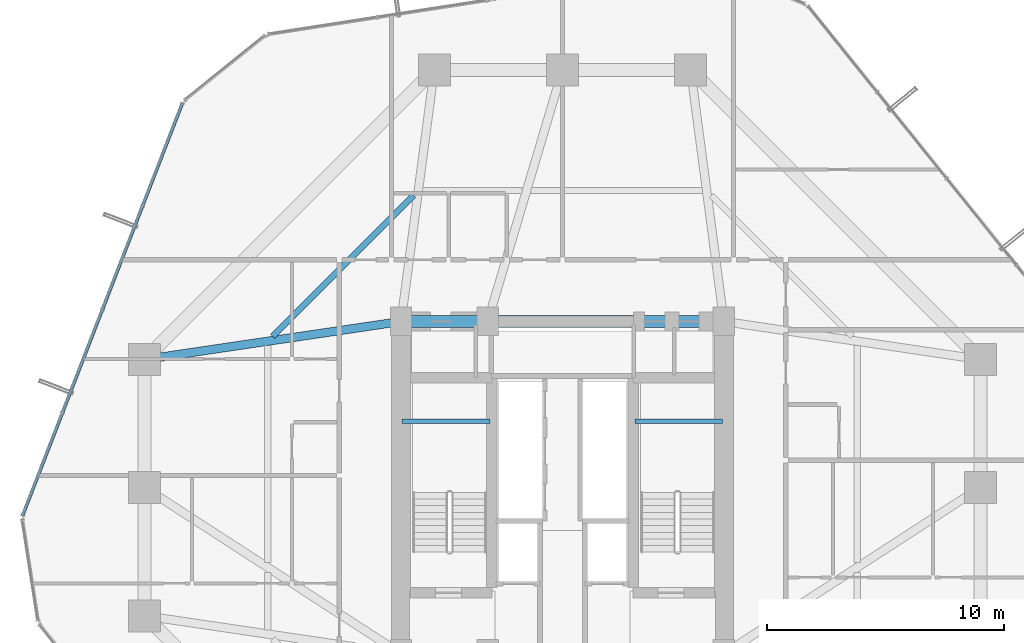
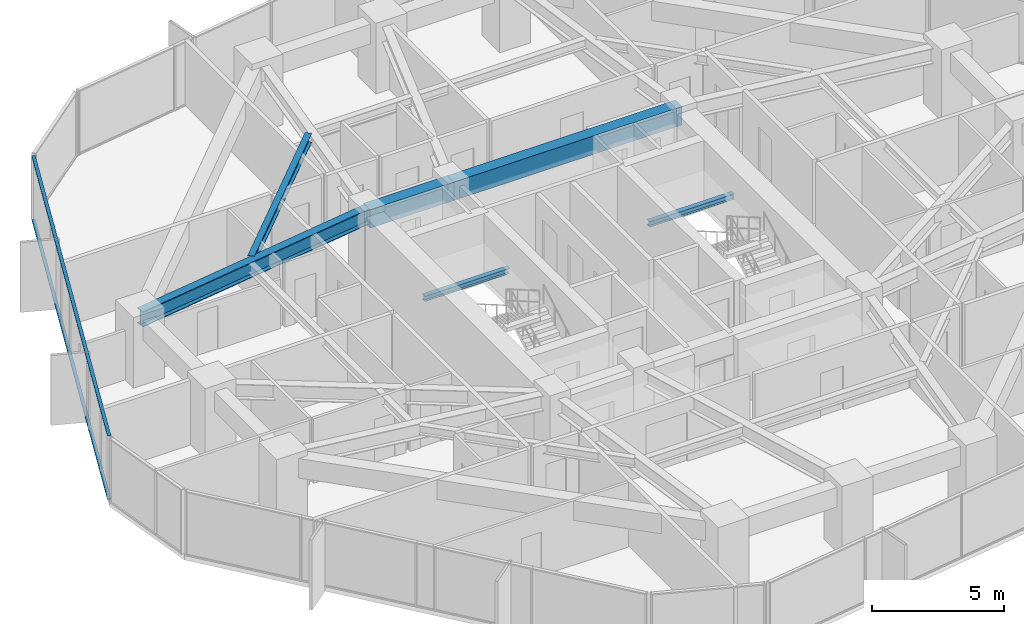
# One storey, part 13 of 37: 6 beams, 2 members, 1 element without a shape of its own.
"""IFC4 building model written with IfcOpenShell, lengths in metres."""

from ifc_helpers import new_model, si_unit, direction, frame, origin, origin_2d, place, context, subcontext, project, spatial, rectangle, hollow_rectangle, i_section, extrude, source, transform, mapped, material, layer, layer_set, material_profile, profile_set, type_object, element, aggregate, save


model = new_model("IFC4")

# Units and contexts
model_context = context("Model", 3, precision=1e-05, world=origin(), true_north=direction((0.0, 1.0)))
body_context = subcontext(model_context, "Body", "Model", "MODEL_VIEW")
ifc_project = project(units=[si_unit("LENGTHUNIT", "METRE"), si_unit("AREAUNIT", "SQUARE_METRE"), si_unit("VOLUMEUNIT", "CUBIC_METRE"), si_unit("PLANEANGLEUNIT", "RADIAN"), si_unit("MASSUNIT", "GRAM", prefix="KILO")], contexts=[model_context])

# Site, building, storey
site_placement = place(None, origin())
site = spatial("IfcSite", under=ifc_project, at=site_placement, CompositionType="ELEMENT")
building_placement = place(site_placement, origin())
building = spatial("IfcBuilding", under=site, at=building_placement, Name="Veraguas Prism Commons", CompositionType="ELEMENT")
storey_placement = place(building_placement, frame((0.0, 0.0, 53.300048828125)))
storey = spatial("IfcBuildingStorey", under=building, at=storey_placement, Name="L14", CompositionType="ELEMENT", Elevation=53.300048828125)

# Beams
ifc_material_1 = material(Name="Concrete C50/60", Category="concrete")
ifc_material_profile_1 = material_profile(ifc_material_1, rectangle(XDim=0.5, YDim=0.85009765625, at=origin_2d()), Name="RC500X850")
ifc_profile_set_1 = profile_set([ifc_material_profile_1], Name="Concrete C50/60")
beam_type_1 = type_object("IfcBeamType", Name="Core Coupling Beam RC 500x850", PredefinedType="BEAM", material=ifc_profile_set_1)
beam_1_placement = place(storey_placement, frame((17.199951171875, 31.0, 2.544921875), z_axis=(1.0, 0.0, 0.0), x_axis=(0.0, 1.0, 0.0)))
element("IfcBeam", 1, at=beam_1_placement, inside=storey, type_object=beam_type_1, Name="Core Coupling Beam L14-CRN1", PredefinedType="BEAM", context=body_context, shape_type="SweptSolid", body=[
    extrude(rectangle(XDim=0.5, YDim=0.85009765625, at=origin_2d()), origin(), (0.0, 0.0, 1.0), 3.650146484375),
])
beam_2_placement = place(storey_placement, frame((20.85009765625, 31.0, 2.544921875), z_axis=(1.0, 0.0, 0.0), x_axis=(0.0, 1.0, 0.0)))
element("IfcBeam", 2, at=beam_2_placement, inside=storey, type_object=beam_type_1, Name="Core Coupling Beam L14-CRN2", PredefinedType="BEAM", context=body_context, shape_type="SweptSolid", body=[
    extrude(rectangle(XDim=0.5, YDim=0.85009765625, at=origin_2d()), origin(), (0.0, 0.0, 1.0), 9.949951171875),
])
ifc_material_2 = material(Name="Steel ASTM A992 Grade 50", Category="steel")
ifc_material_profile_2 = material_profile(ifc_material_2, i_section(OverallWidth=0.260986328125, OverallDepth=0.419921875, WebThickness=0.01171875, FlangeThickness=0.019287109375, at=origin_2d()), Name="W410X114")
ifc_profile_set_2 = profile_set([ifc_material_profile_2], Name="Steel ASTM A992 Grade 50")
beam_type_2 = type_object("IfcBeamType", Name="Lower Floor Joist W410x114", PredefinedType="JOIST", material=ifc_profile_set_2)
beam_3_placement = place(storey_placement, frame((17.723388671875, 36.3076171875, 2.760009765625), z_axis=(-0.707092226423, -0.70712133565, 0.0), x_axis=(0.70712133565, -0.707092226423, 0.0)))
element("IfcBeam", 3, at=beam_3_placement, inside=storey, type_object=beam_type_2, Name="Composite Floor Joist L14-JS06", PredefinedType="JOIST", context=body_context, shape_type="SweptSolid", body=[
    extrude(i_section(OverallWidth=0.260986328125, OverallDepth=0.419921875, WebThickness=0.01171875, FlangeThickness=0.019287109375, at=origin_2d()), origin(), (0.0, 0.0, 1.0), 8.386962890625),
])
ifc_material_profile_3 = material_profile(ifc_material_2, i_section(OverallWidth=0.202880859375, OverallDepth=0.251953125, WebThickness=0.008056640625, FlangeThickness=0.013427734375, at=origin_2d()), Name="W250X58")
ifc_profile_set_3 = profile_set([ifc_material_profile_3], Name="Steel ASTM A992 Grade 50")
beam_type_3 = type_object("IfcBeamType", Name="Structural Opening Lintel W250x58", PredefinedType="LINTEL", material=ifc_profile_set_3)
for number, where, z_axis, x_axis, name in (
    (4, (17.25, 26.800048828125, 1.299072265625), (1.0, 0.0, 0.0), (0.0, 1.0, 0.0), "Stair ST-01 Half-Landing Support Beam L14-1"),
    (5, (27.050048828125, 26.800048828125, 1.299072265625), (1.0, 0.0, 0.0), (0.0, 1.0, 0.0), "Stair ST-02 Half-Landing Support Beam L14-1"),
):
    element("IfcBeam", number, at=place(storey_placement, frame(where, z_axis=z_axis, x_axis=x_axis)), inside=storey, type_object=beam_type_3, Name=name, PredefinedType="LINTEL", context=body_context, shape_type="SweptSolid", body=[
        extrude(i_section(OverallWidth=0.202880859375, OverallDepth=0.251953125, WebThickness=0.008056640625, FlangeThickness=0.013427734375, at=origin_2d()), origin(), (0.0, 0.0, 1.0), 3.699951171875),
    ])
ifc_material_profile_4 = material_profile(ifc_material_2, i_section(OverallWidth=0.35595703125, OverallDepth=0.700927734375, WebThickness=0.016845703125, FlangeThickness=0.02734375, at=origin_2d()), Name="W690X240")
ifc_profile_set_4 = profile_set([ifc_material_profile_4], Name="Steel ASTM A992 Grade 50")
beam_type_4 = type_object("IfcBeamType", Name="Zone 1 Radial Girder W690x240", PredefinedType="BEAM", material=ifc_profile_set_4)
beam_4_placement = place(storey_placement, frame((6.39990234375, 29.39990234375, 2.619384765625), z_axis=(0.989202261707, 0.146556765224, 0.0), x_axis=(-0.146556765224, 0.989202261707, 0.0)))
element("IfcBeam", 6, at=beam_4_placement, inside=storey, type_object=beam_type_4, Name="Radial Floor Girder L14-RD07", PredefinedType="BEAM", context=body_context, shape_type="SweptSolid", body=[
    extrude(i_section(OverallWidth=0.35595703125, OverallDepth=0.700927734375, WebThickness=0.016845703125, FlangeThickness=0.02734375, at=origin_2d()), origin(), (0.0, 0.0, 1.0), 10.91796875),
])

# Curtain wall, members
ifc_material_3 = material(Name="Anodised aluminium EN AW-6063 T6", Category="aluminium")
ifc_layer = layer(ifc_material_3, 0.169921875, Name="Unitised Flush Curtain Wall Zone 1", Category="aluminium")
ifc_layer_set = layer_set([ifc_layer], Name="Anodised aluminium EN AW-6063 T6")
curtain_wall_type = type_object("IfcCurtainWallType", Name="Unitised Flush Curtain Wall Zone 1", PredefinedType="NOTDEFINED", material=ifc_layer_set)
curtain_wall_placement = place(storey_placement, origin())
curtain_wall = element("IfcCurtainWall", 7, at=curtain_wall_placement, inside=storey, type_object=curtain_wall_type, Name="Tower Facade Curtain Wall L14-F3", PredefinedType="NOTDEFINED")
ifc_material_profile_5 = material_profile(ifc_material_3, hollow_rectangle(XDim=0.054931640625, YDim=0.135009765625, WallThickness=0.0029296875, at=origin_2d()), Name="AL55X135X3")
ifc_profile_set_5 = profile_set([ifc_material_profile_5], Name="Anodised aluminium EN AW-6063 T6")
member_type = type_object("IfcMemberType", Name="Curtain Wall Transom Standard AL 55x135x3", PredefinedType="USERDEFINED", material=ifc_profile_set_5)
shared_shape = source(origin(), body_context, "Body", "SweptSolid", [
    extrude(hollow_rectangle(XDim=0.054931640625, YDim=0.135009765625, WallThickness=0.0029296875, at=origin_2d()), origin(), (0.0, 0.0, 1.0), 18.6240234375),
])
member_1_placement = place(storey_placement, frame((7.983642578125, 40.1923828125, 0.02734375), z_axis=(-0.361283882877, -0.932455873473, 0.0), x_axis=(0.0, 0.0, 1.0)))
member_1 = element("IfcMember", 8, at=member_1_placement, type_object=member_type, Name="CW-Z1 Transom 1", ObjectType="TRANSOM", PredefinedType="USERDEFINED", context=body_context, shape_type="MappedRepresentation", body=[
    mapped(shared_shape, transform((0.0, 0.0, 0.0), scale=1.0)),
])
member_2_placement = place(storey_placement, frame((7.983642578125, 40.1923828125, 2.9423828125), z_axis=(-0.361283882877, -0.932455873473, 0.0), x_axis=(0.0, 0.0, 1.0)))
member_2 = element("IfcMember", 9, at=member_2_placement, type_object=member_type, Name="CW-Z1 Transom 2", ObjectType="TRANSOM", PredefinedType="USERDEFINED", context=body_context, shape_type="MappedRepresentation", body=[
    mapped(shared_shape, transform((0.0, 0.0, 0.0), scale=1.0)),
])
aggregate(curtain_wall, [member_1, member_2])

save(model, "model.ifc")
